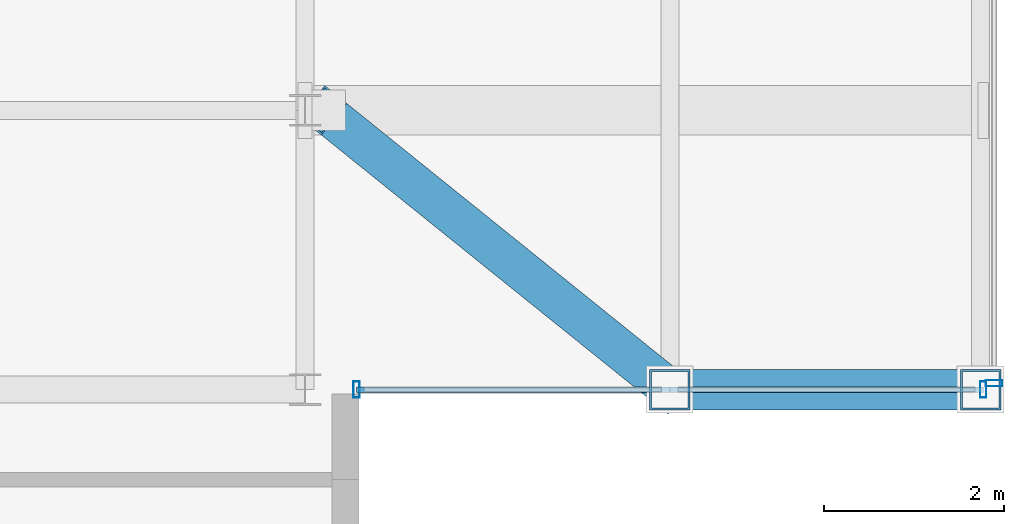
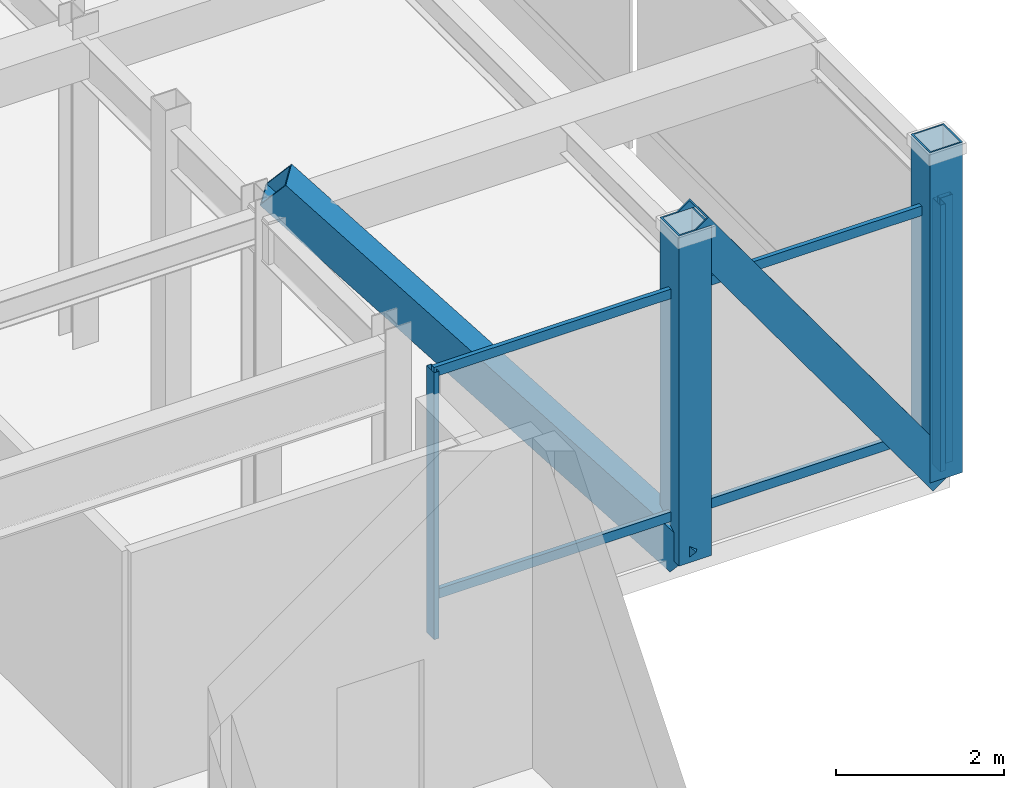
# One storey, part 10 of 26: 11 members, 2 elements without a shape of their own.
"""IFC4 building model written with IfcOpenShell, lengths in metres."""

from ifc_helpers import new_model, si_unit, direction, frame, origin, origin_2d, place, context, subcontext, project, spatial, hollow_rectangle, extrude, material, layer, layer_set, material_profile, profile_set, type_object, element, aggregate, save


model = new_model("IFC4")

# Units and contexts
model_context = context("Model", 3, precision=1e-05, world=origin(), true_north=direction((0.0, 1.0)))
body_context = subcontext(model_context, "Body", "Model", "MODEL_VIEW")
ifc_project = project(units=[si_unit("LENGTHUNIT", "METRE"), si_unit("AREAUNIT", "SQUARE_METRE"), si_unit("VOLUMEUNIT", "CUBIC_METRE"), si_unit("PLANEANGLEUNIT", "RADIAN"), si_unit("MASSUNIT", "GRAM", prefix="KILO")], contexts=[model_context])

# Site, building, storey
site_placement = place(None, origin())
site = spatial("IfcSite", under=ifc_project, at=site_placement, CompositionType="ELEMENT")
building_placement = place(site_placement, origin())
building = spatial("IfcBuilding", under=site, at=building_placement, Name="Veldorina Hangang Commons", CompositionType="ELEMENT")
storey_placement = place(building_placement, frame((0.0, 0.0, 10.0)))
storey = spatial("IfcBuildingStorey", under=building, at=storey_placement, Name="L02", CompositionType="ELEMENT", Elevation=10.0)

# Members
ifc_material_1 = material(Name="Steel SM420-TMC", Category="steel")
ifc_material_profile_1 = material_profile(ifc_material_1, hollow_rectangle(XDim=0.449951171875, YDim=0.449951171875, WallThickness=0.02197265625, at=origin_2d()), Name="SHS-450x450x22")
ifc_profile_set_1 = profile_set([ifc_material_profile_1], Name="Steel SM420-TMC")
member_type_1 = type_object("IfcMemberType", Name="CNT-SHS450", PredefinedType="BRACE", material=ifc_profile_set_1)
for number, where, z_axis, x_axis, name in (
    (1, (63.60009765625, 16.550048828125, 0.0), (0.0, 0.0, 1.0), (1.0, 0.0, 0.0), "L02 lounge truss vertical S-P1"),
    (2, (67.050048828125, 16.550048828125, 0.0), (0.0, 0.0, 1.0), (1.0, 0.0, 0.0), "L02 lounge truss vertical S-P2"),
):
    element("IfcMember", number, at=place(storey_placement, frame(where, z_axis=z_axis, x_axis=x_axis)), inside=storey, type_object=member_type_1, Name=name, PredefinedType="BRACE", context=body_context, shape_type="SweptSolid", body=[
        extrude(hollow_rectangle(XDim=0.449951171875, YDim=0.449951171875, WallThickness=0.02197265625, at=origin_2d()), origin(), (0.0, 0.0, 1.0), 4.800048828125),
    ])
member_1_placement = place(storey_placement, frame((59.75, 19.64990234375, 4.800048828125), z_axis=(0.558790821846, -0.449902794228, -0.696663687274), x_axis=(0.627131486935, 0.778913408598, 0.0)))
element("IfcMember", 3, at=member_1_placement, inside=storey, type_object=member_type_1, Name="L02 lounge truss diagonal S-D1", PredefinedType="BRACE", context=body_context, shape_type="SweptSolid", body=[
    extrude(hollow_rectangle(XDim=0.449951171875, YDim=0.449951171875, WallThickness=0.02197265625, at=origin_2d()), origin(), (0.0, 0.0, 1.0), 6.89013671875),
])
member_2_placement = place(storey_placement, frame((63.60009765625, 16.550048828125, 4.800048828125), z_axis=(0.583626686872, 0.0, -0.812022099681), x_axis=(0.0, 1.0, 0.0)))
element("IfcMember", 4, at=member_2_placement, inside=storey, type_object=member_type_1, Name="L02 lounge truss diagonal S-D2", PredefinedType="BRACE", context=body_context, shape_type="SweptSolid", body=[
    extrude(hollow_rectangle(XDim=0.449951171875, YDim=0.449951171875, WallThickness=0.02197265625, at=origin_2d()), origin(), (0.0, 0.0, 1.0), 5.9111328125),
])

# Curtain wall, members
ifc_material_2 = material(Name="Glass Low-E Solar Control", Category="glass")
ifc_layer = layer(ifc_material_2, 0.179931640625)
ifc_layer_set = layer_set([ifc_layer], Name="Glass Low-E Solar Control")
curtain_wall_type = type_object("IfcCurtainWallType", Name="CW-SYS-CANT", PredefinedType="NOTDEFINED", material=ifc_layer_set)
curtain_wall_1_placement = place(storey_placement, origin())
curtain_wall_1 = element("IfcCurtainWall", 5, at=curtain_wall_1_placement, inside=storey, type_object=curtain_wall_type, Name="L02 unitised curtain wall CW-L02-CANT-S", PredefinedType="NOTDEFINED")
ifc_material_3 = material(Name="Aluminium Anodized AA6063-T6", Category="aluminium")
ifc_material_profile_2 = material_profile(ifc_material_3, hollow_rectangle(XDim=0.070068359375, YDim=0.179931640625, WallThickness=0.00390625, at=origin_2d()), Name="ALU-RHS-180x70x4")
ifc_profile_set_2 = profile_set([ifc_material_profile_2], Name="Aluminium Anodized AA6063-T6")
member_type_2 = type_object("IfcMemberType", Name="CW-MUL-180", PredefinedType="MULLION", material=ifc_profile_set_2)
member_3_placement = place(storey_placement, frame((60.1201171875, 16.550048828125, 0.0), z_axis=(0.0, 0.0, 1.0), x_axis=(1.0, 0.0, 0.0)))
member_3 = element("IfcMember", 6, at=member_3_placement, type_object=member_type_2, Name="CW-L02-CANT-S vertical mullion 1", PredefinedType="MULLION", context=body_context, shape_type="SweptSolid", body=[
    extrude(hollow_rectangle(XDim=0.070068359375, YDim=0.179931640625, WallThickness=0.00390625, at=origin_2d()), origin(), (0.0, 0.0, 1.0), 3.8798828125),
])
member_4_placement = place(storey_placement, frame((67.080078125, 16.550048828125, 0.0), z_axis=(0.0, 0.0, 1.0), x_axis=(-1.0, 0.0, 0.0)))
member_4 = element("IfcMember", 7, at=member_4_placement, type_object=member_type_2, Name="CW-L02-CANT-S vertical mullion 2", PredefinedType="MULLION", context=body_context, shape_type="SweptSolid", body=[
    extrude(hollow_rectangle(XDim=0.070068359375, YDim=0.179931640625, WallThickness=0.00390625, at=origin_2d()), origin(), (0.0, 0.0, 1.0), 3.8798828125),
])

# Curtain wall, member
curtain_wall_2_placement = place(storey_placement, origin())
curtain_wall_2 = element("IfcCurtainWall", 8, at=curtain_wall_2_placement, inside=storey, type_object=curtain_wall_type, Name="L02 unitised curtain wall CW-L02-CANT-E", PredefinedType="NOTDEFINED")
member_5_placement = place(storey_placement, frame((67.199951171875, 16.6201171875, 0.0), z_axis=(0.0, 0.0, 1.0), x_axis=(0.0, 1.0, 0.0)))
member_5 = element("IfcMember", 9, at=member_5_placement, type_object=member_type_2, Name="CW-L02-CANT-E vertical mullion 1", PredefinedType="MULLION", context=body_context, shape_type="SweptSolid", body=[
    extrude(hollow_rectangle(XDim=0.070068359375, YDim=0.179931640625, WallThickness=0.00390625, at=origin_2d()), origin(), (0.0, 0.0, 1.0), 3.8798828125),
])
aggregate(curtain_wall_2, [member_5])

# Member
ifc_material_profile_3 = material_profile(ifc_material_3, hollow_rectangle(XDim=0.06005859375, YDim=0.139892578125, WallThickness=0.00341796875, at=origin_2d()), Name="ALU-RHS-140x60x3.5")
ifc_profile_set_3 = profile_set([ifc_material_profile_3], Name="Aluminium Anodized AA6063-T6")
member_type_3 = type_object("IfcMemberType", Name="CW-TRN-140", PredefinedType="USERDEFINED", material=ifc_profile_set_3)
member_6_placement = place(storey_placement, frame((60.1201171875, 16.550048828125, 0.60009765625), z_axis=(1.0, 0.0, 0.0), x_axis=(0.0, 1.0, 0.0)))
member_6 = element("IfcMember", 10, at=member_6_placement, type_object=member_type_3, Name="CW-L02-CANT-S facet 1 transom 1", ObjectType="TRANSOM", PredefinedType="USERDEFINED", context=body_context, shape_type="SweptSolid", body=[
    extrude(hollow_rectangle(XDim=0.06005859375, YDim=0.139892578125, WallThickness=0.00341796875, at=origin_2d()), origin(), (0.0, 0.0, 1.0), 3.47998046875),
])

member_7_placement = place(storey_placement, frame((60.1201171875, 16.550048828125, 3.840087890625), z_axis=(1.0, 0.0, 0.0), x_axis=(0.0, 1.0, 0.0)))
member_7 = element("IfcMember", 11, at=member_7_placement, type_object=member_type_3, Name="CW-L02-CANT-S facet 1 transom 2", ObjectType="TRANSOM", PredefinedType="USERDEFINED", context=body_context, shape_type="SweptSolid", body=[
    extrude(hollow_rectangle(XDim=0.06005859375, YDim=0.139892578125, WallThickness=0.00341796875, at=origin_2d()), origin(), (0.0, 0.0, 1.0), 3.47998046875),
])

member_8_placement = place(storey_placement, frame((63.60009765625, 16.550048828125, 0.60009765625), z_axis=(1.0, 0.0, 0.0), x_axis=(0.0, 1.0, 0.0)))
member_8 = element("IfcMember", 12, at=member_8_placement, type_object=member_type_3, Name="CW-L02-CANT-S facet 2 transom 1", ObjectType="TRANSOM", PredefinedType="USERDEFINED", context=body_context, shape_type="SweptSolid", body=[
    extrude(hollow_rectangle(XDim=0.06005859375, YDim=0.139892578125, WallThickness=0.00341796875, at=origin_2d()), origin(), (0.0, 0.0, 1.0), 3.47998046875),
])

member_9_placement = place(storey_placement, frame((63.60009765625, 16.550048828125, 3.840087890625), z_axis=(1.0, 0.0, 0.0), x_axis=(0.0, 1.0, 0.0)))
member_9 = element("IfcMember", 13, at=member_9_placement, type_object=member_type_3, Name="CW-L02-CANT-S facet 2 transom 2", ObjectType="TRANSOM", PredefinedType="USERDEFINED", context=body_context, shape_type="SweptSolid", body=[
    extrude(hollow_rectangle(XDim=0.06005859375, YDim=0.139892578125, WallThickness=0.00341796875, at=origin_2d()), origin(), (0.0, 0.0, 1.0), 3.47998046875),
])

aggregate(curtain_wall_1, [member_3, member_4, member_6, member_7, member_8, member_9])

save(model, "model.ifc")
